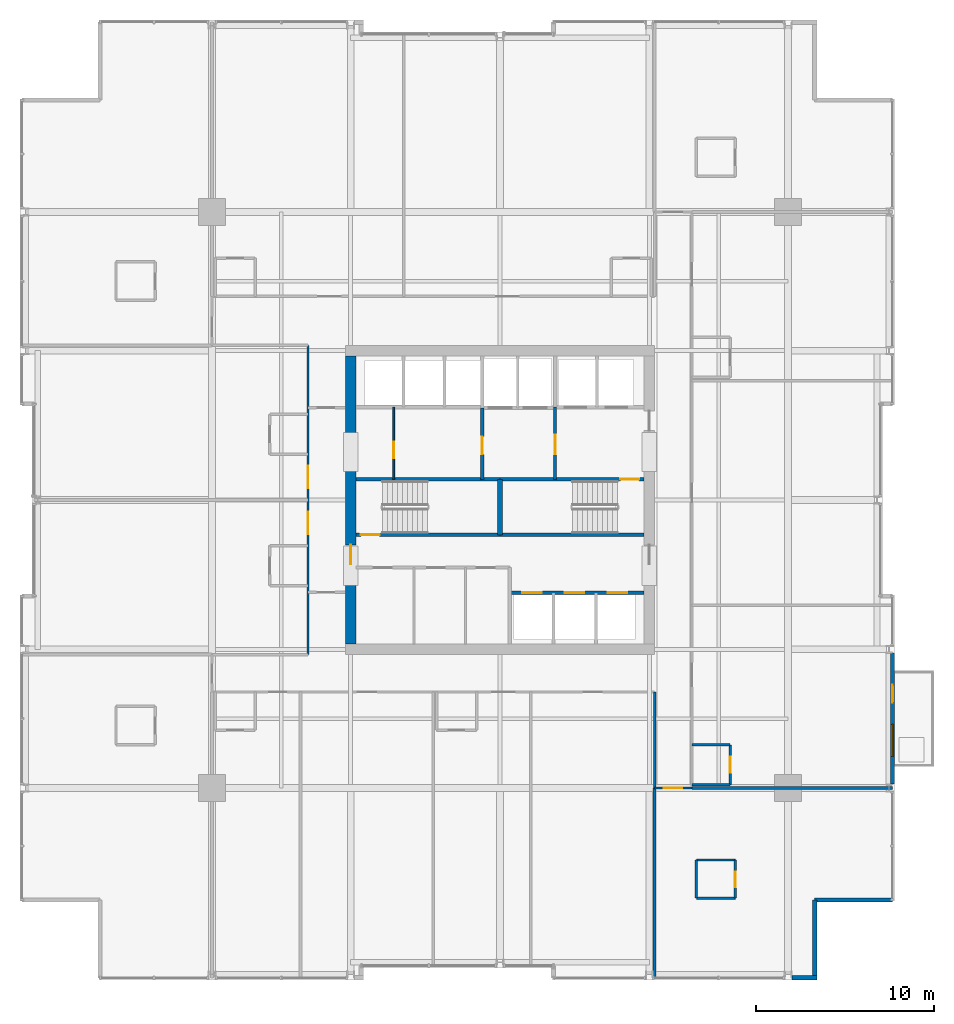
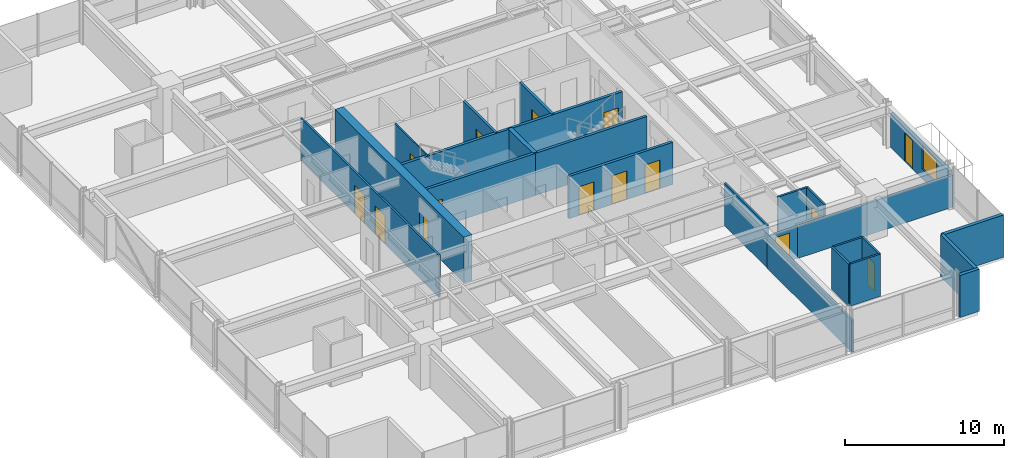
# One storey, part 29 of 34: 26 walls, 15 doors, 1 window, 16 openings.
"""IFC4 building model written with IfcOpenShell, lengths in metres."""

from ifc_helpers import new_model, si_unit, direction, frame, frame_2d, origin, place, context, subcontext, project, spatial, rectangle, extrude, material, layer, layer_set, type_object, element, fill, save


model = new_model("IFC4")

# Units and contexts
model_context = context("Model", 3, precision=1e-05, world=origin(), true_north=direction((0.0, 1.0)))
body_context = subcontext(model_context, "Body", "Model", "MODEL_VIEW")
ifc_project = project(units=[si_unit("LENGTHUNIT", "METRE"), si_unit("AREAUNIT", "SQUARE_METRE"), si_unit("VOLUMEUNIT", "CUBIC_METRE"), si_unit("PLANEANGLEUNIT", "RADIAN"), si_unit("MASSUNIT", "GRAM", prefix="KILO")], contexts=[model_context])

# Site, building, storey
site_placement = place(None, origin())
site = spatial("IfcSite", under=ifc_project, at=site_placement, CompositionType="ELEMENT")
building_placement = place(site_placement, origin())
building = spatial("IfcBuilding", under=site, at=building_placement, Name="Drelvath Grand Hotel", CompositionType="ELEMENT")
storey_placement = place(building_placement, frame((0.0, 0.0, 116.300048828125)))
storey = spatial("IfcBuildingStorey", under=building, at=storey_placement, Name="L29", CompositionType="ELEMENT", Elevation=116.300048828125)

# Wall, opening, door
ifc_material_1 = material(Name="Gypsum Partition Board")
ifc_layer_1 = layer(ifc_material_1, 0.10009765625)
ifc_layer_set_1 = layer_set([ifc_layer_1], Name="Gypsum Partition Board")
wall_type_1 = type_object("IfcWallType", Name="Core Closet Partition 100", PredefinedType="PARTITIONING", material=ifc_layer_set_1)
wall_1_placement = place(storey_placement, frame((-5.97998046875, 28.159912109375, 0.0), z_axis=(0.0, 0.0, 1.0), x_axis=(0.0, 1.0, 0.0)))
wall_1 = element("IfcWall", 1, at=wall_1_placement, inside=storey, type_object=wall_type_1, Name="L29 Core Closet Divider 2", PredefinedType="PARTITIONING", context=body_context, shape_type="SweptSolid", body=[
    extrude(rectangle(XDim=4.06005859375, YDim=0.10009765625, at=frame_2d((2.030029296875, 0.0))), origin(), (0.0, 0.0, 1.0), 3.239990234375),
])
opening_1_placement = place(wall_1_placement, frame((1.199951171875, 0.0, 0.0)))
opening_1 = element("IfcOpeningElement", 2, at=opening_1_placement, cuts=wall_1, Name="Opening D-T2G3-010", PredefinedType="OPENING", context=body_context, shape_type="SweptSolid", body=[
    extrude(rectangle(XDim=0.919921875, YDim=2.10009765625, at=frame_2d((0.4599609375, 1.050048828125))), frame((0.0, 0.06005859375, 0.0), z_axis=(0.0, -1.0, 0.0), x_axis=(1.0, 0.0, 0.0)), (0.0, 0.0, 1.0), 0.1201171875),
])
ifc_material_2 = material(Name="Painted Steel S275", Category="steel")
door_type_1 = type_object("IfcDoorType", Name="Staff Utility Door 920x2100", OperationType="NOTDEFINED", PredefinedType="DOOR", material=ifc_material_2)
door_1_placement = place(opening_1_placement, origin())
door_1 = element("IfcDoor", 3, at=door_1_placement, inside=storey, type_object=door_type_1, Name="L29 Low-Voltage Closet Door", OperationType="SINGLE_SWING_RIGHT", OverallHeight=2.10009765625, OverallWidth=0.919921875, PredefinedType="DOOR", context=body_context, shape_type="SweptSolid", body=[
    extrude(rectangle(XDim=0.919921875, YDim=2.10009765625, at=frame_2d((0.4599609375, 1.050048828125))), frame((0.0, 0.02490234375, 0.0), z_axis=(0.0, -1.0, 0.0), x_axis=(1.0, 0.0, 0.0)), (0.0, 0.0, 1.0), 0.050048828125),
])
fill(opening_1, door_1)

# Wall, openings, doors
ifc_material_3 = material(Name="Concrete C40/50", Category="concrete")
ifc_layer_2 = layer(ifc_material_3, 0.199951171875)
ifc_layer_set_2 = layer_set([ifc_layer_2], Name="Concrete C40/50")
wall_type_2 = type_object("IfcWallType", Name="Core Hoistway Fire Wall 200", PredefinedType="SOLIDWALL", material=ifc_layer_set_2)
wall_2_placement = place(storey_placement, frame((8.10009765625, 21.780029296875, 0.0), z_axis=(0.0, 0.0, 1.0), x_axis=(-1.0, 0.0, 0.0)))
wall_2 = element("IfcWall", 4, at=wall_2_placement, inside=storey, type_object=wall_type_2, Name="L29 Bank 2 Hoistway Wall", PredefinedType="SOLIDWALL", context=body_context, shape_type="SweptSolid", body=[
    extrude(rectangle(XDim=7.550048828125, YDim=0.199951171875, at=frame_2d((3.77490234375, 0.0))), origin(), (0.0, 0.0, 1.0), 3.239990234375),
])
opening_2_placement = place(wall_2_placement, frame((5.75, 0.0, 0.0)))
opening_2 = element("IfcOpeningElement", 5, at=opening_2_placement, cuts=wall_2, Name="Opening LD-PE-4", PredefinedType="OPENING", context=body_context, shape_type="SweptSolid", body=[
    extrude(rectangle(XDim=1.10009765625, YDim=2.199951171875, at=frame_2d((0.550048828125, 1.10009765625))), frame((0.0, 0.10986328125, 0.0), z_axis=(0.0, -1.0, 0.0), x_axis=(1.0, 0.0, 0.0)), (0.0, 0.0, 1.0), 0.219970703125),
])
opening_3_placement = place(wall_2_placement, frame((3.35009765625, 0.0, 0.0)))
opening_3 = element("IfcOpeningElement", 6, at=opening_3_placement, cuts=wall_2, Name="Opening LD-PE-5", PredefinedType="OPENING", context=body_context, shape_type="SweptSolid", body=[
    extrude(rectangle(XDim=1.10009765625, YDim=2.199951171875, at=frame_2d((0.550048828125, 1.10009765625))), frame((0.0, 0.10986328125, 0.0), z_axis=(0.0, -1.0, 0.0), x_axis=(1.0, 0.0, 0.0)), (0.0, 0.0, 1.0), 0.219970703125),
])
opening_4_placement = place(wall_2_placement, frame((0.949951171875, 0.0, 0.0)))
opening_4 = element("IfcOpeningElement", 7, at=opening_4_placement, cuts=wall_2, Name="Opening LD-PE-6", PredefinedType="OPENING", context=body_context, shape_type="SweptSolid", body=[
    extrude(rectangle(XDim=1.10009765625, YDim=2.199951171875, at=frame_2d((0.550048828125, 1.10009765625))), frame((0.0, 0.10986328125, 0.0), z_axis=(0.0, -1.0, 0.0), x_axis=(1.0, 0.0, 0.0)), (0.0, 0.0, 1.0), 0.219970703125),
])
ifc_material_4 = material(Name="Stainless Steel S355", Category="steel")
door_type_2 = type_object("IfcDoorType", Name="Passenger Lift Sliding Landing Door 1100x2200", OperationType="NOTDEFINED", PredefinedType="DOOR", material=ifc_material_4)
door_2_placement = place(opening_2_placement, origin())
door_2 = element("IfcDoor", 8, at=door_2_placement, inside=storey, type_object=door_type_2, Name="L29 Lift PE-4 Landing Door", OperationType="SLIDING_TO_LEFT", OverallHeight=2.199951171875, OverallWidth=1.10009765625, PredefinedType="DOOR", context=body_context, shape_type="SweptSolid", body=[
    extrude(rectangle(XDim=1.10009765625, YDim=2.199951171875, at=frame_2d((0.550048828125, 1.10009765625))), frame((0.0, 0.02490234375, 0.0), z_axis=(0.0, -1.0, 0.0), x_axis=(1.0, 0.0, 0.0)), (0.0, 0.0, 1.0), 0.050048828125),
])
fill(opening_2, door_2)
door_3_placement = place(opening_3_placement, origin())
door_3 = element("IfcDoor", 9, at=door_3_placement, inside=storey, type_object=door_type_2, Name="L29 Lift PE-5 Landing Door", OperationType="SLIDING_TO_LEFT", OverallHeight=2.199951171875, OverallWidth=1.10009765625, PredefinedType="DOOR", context=body_context, shape_type="SweptSolid", body=[
    extrude(rectangle(XDim=1.10009765625, YDim=2.199951171875, at=frame_2d((0.550048828125, 1.10009765625))), frame((0.0, 0.02490234375, 0.0), z_axis=(0.0, -1.0, 0.0), x_axis=(1.0, 0.0, 0.0)), (0.0, 0.0, 1.0), 0.050048828125),
])
fill(opening_3, door_3)
door_4_placement = place(opening_4_placement, origin())
door_4 = element("IfcDoor", 10, at=door_4_placement, inside=storey, type_object=door_type_2, Name="L29 Lift PE-6 Landing Door", OperationType="SLIDING_TO_LEFT", OverallHeight=2.199951171875, OverallWidth=1.10009765625, PredefinedType="DOOR", context=body_context, shape_type="SweptSolid", body=[
    extrude(rectangle(XDim=1.10009765625, YDim=2.199951171875, at=frame_2d((0.550048828125, 1.10009765625))), frame((0.0, 0.02490234375, 0.0), z_axis=(0.0, -1.0, 0.0), x_axis=(1.0, 0.0, 0.0)), (0.0, 0.0, 1.0), 0.050048828125),
])
fill(opening_4, door_4)

# Wall, opening, door
ifc_layer_3 = layer(ifc_material_3, 0.199951171875)
ifc_layer_set_3 = layer_set([ifc_layer_3], Name="Concrete C40/50")
wall_type_3 = type_object("IfcWallType", Name="Core Shaft Fire Wall 200", PredefinedType="SOLIDWALL", material=ifc_layer_set_3)
wall_3_placement = place(storey_placement, frame((-8.10009765625, 25.0400390625, 0.0), z_axis=(0.0, 0.0, 1.0), x_axis=(1.0, 0.0, 0.0)))
wall_3 = element("IfcWall", 11, at=wall_3_placement, inside=storey, type_object=wall_type_3, Name="L29 Stair ST-1 South Wall", PredefinedType="SOLIDWALL", context=body_context, shape_type="SweptSolid", body=[
    extrude(rectangle(XDim=8.10009765625, YDim=0.199951171875, at=frame_2d((4.050048828125, 0.0))), origin(), (0.0, 0.0, 1.0), 3.239990234375),
])
opening_5_placement = place(wall_3_placement, frame((0.280029296875, 0.0, 0.0)))
opening_5 = element("IfcOpeningElement", 12, at=opening_5_placement, cuts=wall_3, Name="Opening D-T2G3-001", PredefinedType="OPENING", context=body_context, shape_type="SweptSolid", body=[
    extrude(rectangle(XDim=1.050048828125, YDim=2.10009765625, at=frame_2d((0.52490234375, 1.050048828125))), frame((0.0, 0.10986328125, 0.0), z_axis=(0.0, -1.0, 0.0), x_axis=(1.0, 0.0, 0.0)), (0.0, 0.0, 1.0), 0.219970703125),
])
door_type_3 = type_object("IfcDoorType", Name="Tower Stairwell Fire Door 1050x2100", OperationType="NOTDEFINED", PredefinedType="DOOR", material=ifc_material_2)
door_5_placement = place(opening_5_placement, origin())
door_5 = element("IfcDoor", 13, at=door_5_placement, inside=storey, type_object=door_type_3, Name="L29 Exit Stair ST-1 Door", OperationType="SINGLE_SWING_LEFT", OverallHeight=2.10009765625, OverallWidth=1.050048828125, PredefinedType="DOOR", context=body_context, shape_type="SweptSolid", body=[
    extrude(rectangle(XDim=1.050048828125, YDim=2.10009765625, at=frame_2d((0.52490234375, 1.050048828125))), frame((0.0, 0.02490234375, 0.0), z_axis=(0.0, -1.0, 0.0), x_axis=(1.0, 0.0, 0.0)), (0.0, 0.0, 1.0), 0.050048828125),
])
fill(opening_5, door_5)

# Walls
for number, where, z_axis, x_axis, name in (
    (14, (-8.10009765625, 28.159912109375, 0.0), (0.0, 0.0, 1.0), (1.0, 0.0, 0.0), "L29 Stair ST-1 North Wall"),
    (15, (0.0, 25.0400390625, 0.0), (0.0, 0.0, 1.0), (1.0, 0.0, 0.0), "L29 Stair ST-2 South Wall"),
):
    element("IfcWall", number, at=place(storey_placement, frame(where, z_axis=z_axis, x_axis=x_axis)), inside=storey, type_object=wall_type_3, Name=name, PredefinedType="SOLIDWALL", context=body_context, shape_type="SweptSolid", body=[
        extrude(rectangle(XDim=8.10009765625, YDim=0.199951171875, at=frame_2d((4.050048828125, 0.0))), origin(), (0.0, 0.0, 1.0), 3.239990234375),
    ])

# Wall, opening, door
wall_4_placement = place(storey_placement, frame((8.10009765625, 28.159912109375, 0.0), z_axis=(0.0, 0.0, 1.0), x_axis=(-1.0, 0.0, 0.0)))
wall_4 = element("IfcWall", 16, at=wall_4_placement, inside=storey, type_object=wall_type_3, Name="L29 Stair ST-2 North Wall", PredefinedType="SOLIDWALL", context=body_context, shape_type="SweptSolid", body=[
    extrude(rectangle(XDim=8.10009765625, YDim=0.199951171875, at=frame_2d((4.050048828125, 0.0))), origin(), (0.0, 0.0, 1.0), 3.239990234375),
])
opening_6_placement = place(wall_4_placement, frame((0.280029296875, 0.0, 0.0)))
opening_6 = element("IfcOpeningElement", 17, at=opening_6_placement, cuts=wall_4, Name="Opening D-T2G3-002", PredefinedType="OPENING", context=body_context, shape_type="SweptSolid", body=[
    extrude(rectangle(XDim=1.050048828125, YDim=2.10009765625, at=frame_2d((0.52490234375, 1.050048828125))), frame((0.0, 0.10986328125, 0.0), z_axis=(0.0, -1.0, 0.0), x_axis=(1.0, 0.0, 0.0)), (0.0, 0.0, 1.0), 0.219970703125),
])
door_6_placement = place(opening_6_placement, origin())
door_6 = element("IfcDoor", 18, at=door_6_placement, inside=storey, type_object=door_type_3, Name="L29 Exit Stair ST-2 Door", OperationType="SINGLE_SWING_LEFT", OverallHeight=2.10009765625, OverallWidth=1.050048828125, PredefinedType="DOOR", context=body_context, shape_type="SweptSolid", body=[
    extrude(rectangle(XDim=1.050048828125, YDim=2.10009765625, at=frame_2d((0.52490234375, 1.050048828125))), frame((0.0, 0.02490234375, 0.0), z_axis=(0.0, -1.0, 0.0), x_axis=(1.0, 0.0, 0.0)), (0.0, 0.0, 1.0), 0.050048828125),
])
fill(opening_6, door_6)

# Walls
ifc_layer_4 = layer(ifc_material_3, 0.300048828125)
ifc_layer_set_4 = layer_set([ifc_layer_4], Name="Concrete C40/50")
wall_type_4 = type_object("IfcWallType", Name="Core Shaft Fire Wall 300", PredefinedType="SOLIDWALL", material=ifc_layer_set_4)
wall_5_placement = place(storey_placement, frame((0.0, 25.0400390625, 0.0), z_axis=(0.0, 0.0, 1.0), x_axis=(0.0, 1.0, 0.0)))
element("IfcWall", 19, at=wall_5_placement, inside=storey, type_object=wall_type_4, Name="L29 Core Stair Divider Wall", PredefinedType="SOLIDWALL", context=body_context, shape_type="SweptSolid", body=[
    extrude(rectangle(XDim=3.119873046875, YDim=0.300048828125, at=frame_2d((1.56005859375, 0.0))), origin(), (0.0, 0.0, 1.0), 3.239990234375),
])
ifc_material_5 = material(Name="Gypsum Fireboard Partition")
ifc_layer_5 = layer(ifc_material_5, 0.135009765625)
ifc_layer_set_5 = layer_set([ifc_layer_5], Name="Gypsum Fireboard Partition")
wall_type_5 = type_object("IfcWallType", Name="Corridor Fire Barrier Wall 135", PredefinedType="PARTITIONING", material=ifc_layer_set_5)
wall_6_placement = place(storey_placement, frame((8.699951171875, 10.800048828125, 0.0), z_axis=(0.0, 0.0, 1.0), x_axis=(0.0, 1.0, 0.0)))
element("IfcWall", 20, at=wall_6_placement, inside=storey, type_object=wall_type_5, Name="L29 East Spine South Inner Wall", PredefinedType="PARTITIONING", context=body_context, shape_type="SweptSolid", body=[
    extrude(rectangle(XDim=5.39990234375, YDim=0.135009765625, at=frame_2d((2.699951171875, 0.0))), origin(), (0.0, 0.0, 1.0), 3.239990234375),
])

# Wall, openings, doors
wall_7_placement = place(storey_placement, frame((-10.800048828125, 18.300048828125, 0.0), z_axis=(0.0, 0.0, 1.0), x_axis=(0.0, 1.0, 0.0)))
wall_7 = element("IfcWall", 21, at=wall_7_placement, inside=storey, type_object=wall_type_5, Name="L29 West Spine Wall", PredefinedType="PARTITIONING", context=body_context, shape_type="SweptSolid", body=[
    extrude(rectangle(XDim=17.39990234375, YDim=0.135009765625, at=frame_2d((8.699951171875, 0.0))), origin(), (0.0, 0.0, 1.0), 3.239990234375),
])
opening_7_placement = place(wall_7_placement, frame((6.784912109375, 0.0, 0.0)))
opening_7 = element("IfcOpeningElement", 22, at=opening_7_placement, cuts=wall_7, Name="Opening D-T2G3-045", PredefinedType="OPENING", context=body_context, shape_type="SweptSolid", body=[
    extrude(rectangle(XDim=1.260009765625, YDim=2.199951171875, at=frame_2d((0.6298828125, 1.10009765625))), frame((0.0, 0.077392578125, 0.0), z_axis=(0.0, -1.0, 0.0), x_axis=(1.0, 0.0, 0.0)), (0.0, 0.0, 1.0), 0.155029296875),
])
opening_8_placement = place(wall_7_placement, frame((9.35498046875, 0.0, 0.0)))
opening_8 = element("IfcOpeningElement", 23, at=opening_8_placement, cuts=wall_7, Name="Opening D-T2G3-047", PredefinedType="OPENING", context=body_context, shape_type="SweptSolid", body=[
    extrude(rectangle(XDim=1.260009765625, YDim=2.199951171875, at=frame_2d((0.6298828125, 1.10009765625))), frame((0.0, 0.077392578125, 0.0), z_axis=(0.0, -1.0, 0.0), x_axis=(1.0, 0.0, 0.0)), (0.0, 0.0, 1.0), 0.155029296875),
])
ifc_material_6 = material(Name="Hardwood Walnut Timber", Category="wood")
door_type_4 = type_object("IfcDoorType", Name="Suite Entrance Fire Door 1260x2200", OperationType="NOTDEFINED", PredefinedType="DOOR", material=ifc_material_6)
door_7_placement = place(opening_7_placement, origin())
door_7 = element("IfcDoor", 24, at=door_7_placement, inside=storey, type_object=door_type_4, Name="L29 Corner Suite Entry Door", OperationType="SINGLE_SWING_RIGHT", OverallHeight=2.199951171875, OverallWidth=1.260009765625, PredefinedType="DOOR", context=body_context, shape_type="SweptSolid", body=[
    extrude(rectangle(XDim=1.260009765625, YDim=2.199951171875, at=frame_2d((0.6298828125, 1.10009765625))), frame((0.0, 0.02490234375, 0.0), z_axis=(0.0, -1.0, 0.0), x_axis=(1.0, 0.0, 0.0)), (0.0, 0.0, 1.0), 0.050048828125),
])
fill(opening_7, door_7)
door_8_placement = place(opening_8_placement, origin())
door_8 = element("IfcDoor", 25, at=door_8_placement, inside=storey, type_object=door_type_4, Name="L29 Corner Suite Entry Door", OperationType="SINGLE_SWING_RIGHT", OverallHeight=2.199951171875, OverallWidth=1.260009765625, PredefinedType="DOOR", context=body_context, shape_type="SweptSolid", body=[
    extrude(rectangle(XDim=1.260009765625, YDim=2.199951171875, at=frame_2d((0.6298828125, 1.10009765625))), frame((0.0, 0.02490234375, 0.0), z_axis=(0.0, -1.0, 0.0), x_axis=(1.0, 0.0, 0.0)), (0.0, 0.0, 1.0), 0.050048828125),
])
fill(opening_8, door_8)

# Wall, opening, door
wall_8_placement = place(storey_placement, frame((8.699951171875, 10.800048828125, 0.0), z_axis=(0.0, 0.0, 1.0), x_axis=(1.0, 0.0, 0.0)))
wall_8 = element("IfcWall", 26, at=wall_8_placement, inside=storey, type_object=wall_type_5, Name="L29 East Spine South End", PredefinedType="PARTITIONING", context=body_context, shape_type="SweptSolid", body=[
    extrude(rectangle(XDim=2.10009765625, YDim=0.135009765625, at=frame_2d((1.050048828125, 0.0))), origin(), (0.0, 0.0, 1.0), 2.45166015625),
])
opening_9_placement = place(wall_8_placement, frame((0.52001953125, 0.0, 0.0)))
opening_9 = element("IfcOpeningElement", 27, at=opening_9_placement, cuts=wall_8, Name="Opening D-T2G3-026", PredefinedType="OPENING", context=body_context, shape_type="SweptSolid", body=[
    extrude(rectangle(XDim=1.02001953125, YDim=2.14990234375, at=frame_2d((0.510009765625, 1.074951171875))), frame((0.0, 0.077392578125, 0.0), z_axis=(0.0, -1.0, 0.0), x_axis=(1.0, 0.0, 0.0)), (0.0, 0.0, 1.0), 0.155029296875),
])
door_type_5 = type_object("IfcDoorType", Name="Amenity Meeting Fire Door 1020x2150", OperationType="NOTDEFINED", PredefinedType="DOOR", material=ifc_material_6)
door_9_placement = place(opening_9_placement, origin())
door_9 = element("IfcDoor", 28, at=door_9_placement, inside=storey, type_object=door_type_5, Name="L29 Corner Suite Entry Door", OperationType="SINGLE_SWING_LEFT", OverallHeight=2.14990234375, OverallWidth=1.02001953125, PredefinedType="DOOR", context=body_context, shape_type="SweptSolid", body=[
    extrude(rectangle(XDim=1.02001953125, YDim=2.14990234375, at=frame_2d((0.510009765625, 1.074951171875))), frame((0.0, 0.02490234375, 0.0), z_axis=(0.0, -1.0, 0.0), x_axis=(1.0, 0.0, 0.0)), (0.0, 0.0, 1.0), 0.050048828125),
])
fill(opening_9, door_9)

# Walls
ifc_material_7 = material(Name="Moisture-Resistant Gypsum Board")
ifc_layer_6 = layer(ifc_material_7, 0.139892578125)
ifc_layer_set_6 = layer_set([ifc_layer_6], Name="Moisture-Resistant Gypsum Board")
wall_type_6 = type_object("IfcWallType", Name="En-Suite Plumbing Wall 140", PredefinedType="PLUMBINGWALL", material=ifc_layer_set_6)
for number, where, z_axis, x_axis, name in (
    (29, (11.0400390625, 4.60009765625, 0.0), (0.0, 0.0, 1.0), (1.0, 0.0, 0.0), "L29 Corner En-Suite South"),
    (30, (11.0400390625, 6.75, 0.0), (0.0, 0.0, 1.0), (1.0, 0.0, 0.0), "L29 Corner En-Suite North"),
):
    element("IfcWall", number, at=place(storey_placement, frame(where, z_axis=z_axis, x_axis=x_axis)), inside=storey, type_object=wall_type_6, Name=name, PredefinedType="PLUMBINGWALL", context=body_context, shape_type="SweptSolid", body=[
        extrude(rectangle(XDim=2.199951171875, YDim=0.139892578125, at=frame_2d((1.10009765625, 0.0))), origin(), (0.0, 0.0, 1.0), 3.239990234375),
    ])
wall_9_placement = place(storey_placement, frame((11.0400390625, 4.60009765625, 0.0), z_axis=(0.0, 0.0, 1.0), x_axis=(0.0, 1.0, 0.0)))
element("IfcWall", 31, at=wall_9_placement, inside=storey, type_object=wall_type_6, Name="L29 Corner En-Suite West", PredefinedType="PLUMBINGWALL", context=body_context, shape_type="SweptSolid", body=[
    extrude(rectangle(XDim=2.14990234375, YDim=0.139892578125, at=frame_2d((1.074951171875, 0.0))), origin(), (0.0, 0.0, 1.0), 3.239990234375),
])

# Wall, opening, door
wall_10_placement = place(storey_placement, frame((13.239990234375, 4.60009765625, 0.0), z_axis=(0.0, 0.0, 1.0), x_axis=(0.0, 1.0, 0.0)))
wall_10 = element("IfcWall", 32, at=wall_10_placement, inside=storey, type_object=wall_type_6, Name="L29 Corner En-Suite East", PredefinedType="PLUMBINGWALL", context=body_context, shape_type="SweptSolid", body=[
    extrude(rectangle(XDim=2.14990234375, YDim=0.139892578125, at=frame_2d((1.074951171875, 0.0))), origin(), (0.0, 0.0, 1.0), 3.239990234375),
])
opening_10_placement = place(wall_10_placement, frame((0.6201171875, 0.0, 0.0)))
opening_10 = element("IfcOpeningElement", 33, at=opening_10_placement, cuts=wall_10, Name="Opening D-T2G3-025", PredefinedType="OPENING", context=body_context, shape_type="SweptSolid", body=[
    extrude(rectangle(XDim=0.8798828125, YDim=2.10009765625, at=frame_2d((0.43994140625, 1.050048828125))), frame((0.0, 0.079833984375, 0.0), z_axis=(0.0, -1.0, 0.0), x_axis=(1.0, 0.0, 0.0)), (0.0, 0.0, 1.0), 0.159912109375),
])
door_type_6 = type_object("IfcDoorType", Name="En-Suite Bathroom Door 880x2100", OperationType="NOTDEFINED", PredefinedType="DOOR", material=ifc_material_6)
door_10_placement = place(opening_10_placement, origin())
door_10 = element("IfcDoor", 34, at=door_10_placement, inside=storey, type_object=door_type_6, Name="L29 Corner En-Suite Door", OperationType="SINGLE_SWING_RIGHT", OverallHeight=2.10009765625, OverallWidth=0.8798828125, PredefinedType="DOOR", context=body_context, shape_type="SweptSolid", body=[
    extrude(rectangle(XDim=0.8798828125, YDim=2.10009765625, at=frame_2d((0.43994140625, 1.050048828125))), frame((0.0, 0.02490234375, 0.0), z_axis=(0.0, -1.0, 0.0), x_axis=(1.0, 0.0, 0.0)), (0.0, 0.0, 1.0), 0.050048828125),
])
fill(opening_10, door_10)

# Walls
wall_11_placement = place(storey_placement, frame((10.800048828125, 10.97998046875, 0.0), z_axis=(0.0, 0.0, 1.0), x_axis=(1.0, 0.0, 0.0)))
element("IfcWall", 35, at=wall_11_placement, inside=storey, type_object=wall_type_6, Name="L29 En-Suite Left Wall", PredefinedType="PLUMBINGWALL", context=body_context, shape_type="SweptSolid", body=[
    extrude(rectangle(XDim=2.14990234375, YDim=0.139892578125, at=frame_2d((1.074951171875, 0.0))), origin(), (0.0, 0.0, 1.0), 2.45166015625),
])
wall_12_placement = place(storey_placement, frame((10.800048828125, 13.22998046875, 0.0), z_axis=(0.0, 0.0, 1.0), x_axis=(1.0, 0.0, 0.0)))
element("IfcWall", 36, at=wall_12_placement, inside=storey, type_object=wall_type_6, Name="L29 En-Suite Right Wall", PredefinedType="PLUMBINGWALL", context=body_context, shape_type="SweptSolid", body=[
    extrude(rectangle(XDim=2.14990234375, YDim=0.139892578125, at=frame_2d((1.074951171875, 0.0))), origin(), (0.0, 0.0, 1.0), 3.239990234375),
])

# Wall, opening, door
wall_13_placement = place(storey_placement, frame((12.949951171875, 10.97998046875, 0.0), z_axis=(0.0, 0.0, 1.0), x_axis=(0.0, 1.0, 0.0)))
wall_13 = element("IfcWall", 37, at=wall_13_placement, inside=storey, type_object=wall_type_6, Name="L29 En-Suite Front Wall", PredefinedType="PLUMBINGWALL", context=body_context, shape_type="SweptSolid", body=[
    extrude(rectangle(XDim=2.25, YDim=0.139892578125, at=frame_2d((1.125, 0.0))), origin(), (0.0, 0.0, 1.0), 3.239990234375),
])
opening_11_placement = place(wall_13_placement, frame((0.68505859375, 0.0, 0.0)))
opening_11 = element("IfcOpeningElement", 38, at=opening_11_placement, cuts=wall_13, Name="Opening D-T2G3-039", PredefinedType="OPENING", context=body_context, shape_type="SweptSolid", body=[
    extrude(rectangle(XDim=0.8798828125, YDim=2.10009765625, at=frame_2d((0.43994140625, 1.050048828125))), frame((0.0, 0.079833984375, 0.0), z_axis=(0.0, -1.0, 0.0), x_axis=(1.0, 0.0, 0.0)), (0.0, 0.0, 1.0), 0.159912109375),
])
door_11_placement = place(opening_11_placement, origin())
door_11 = element("IfcDoor", 39, at=door_11_placement, inside=storey, type_object=door_type_6, Name="L29 En-Suite Bathroom Door", OperationType="SINGLE_SWING_RIGHT", OverallHeight=2.10009765625, OverallWidth=0.8798828125, PredefinedType="DOOR", context=body_context, shape_type="SweptSolid", body=[
    extrude(rectangle(XDim=0.8798828125, YDim=2.10009765625, at=frame_2d((0.43994140625, 1.050048828125))), frame((0.0, 0.02490234375, 0.0), z_axis=(0.0, -1.0, 0.0), x_axis=(1.0, 0.0, 0.0)), (0.0, 0.0, 1.0), 0.050048828125),
])
fill(opening_11, door_11)

ifc_layer_7 = layer(ifc_material_5, 0.179931640625)
ifc_layer_set_7 = layer_set([ifc_layer_7], Name="Gypsum Fireboard Partition")
wall_type_7 = type_object("IfcWallType", Name="FSAE Smoke Lobby Fire Wall 180", PredefinedType="SOLIDWALL", material=ifc_layer_set_7)
wall_14_placement = place(storey_placement, frame((3.10009765625, 28.159912109375, 0.0), z_axis=(0.0, 0.0, 1.0), x_axis=(0.0, 1.0, 0.0)))
wall_14 = element("IfcWall", 40, at=wall_14_placement, inside=storey, type_object=wall_type_7, Name="L29 FSAE Smoke Lobby West Wall", PredefinedType="SOLIDWALL", context=body_context, shape_type="SweptSolid", body=[
    extrude(rectangle(XDim=4.06005859375, YDim=0.179931640625, at=frame_2d((2.030029296875, 0.0))), origin(), (0.0, 0.0, 1.0), 3.239990234375),
])
opening_12_placement = place(wall_14_placement, frame((1.39990234375, 0.0, 0.0)))
opening_12 = element("IfcOpeningElement", 41, at=opening_12_placement, cuts=wall_14, Name="Opening D-T2G3-005", PredefinedType="OPENING", context=body_context, shape_type="SweptSolid", body=[
    extrude(rectangle(XDim=1.1201171875, YDim=2.10009765625, at=frame_2d((0.56005859375, 1.050048828125))), frame((0.0, 0.099853515625, 0.0), z_axis=(0.0, -1.0, 0.0), x_axis=(1.0, 0.0, 0.0)), (0.0, 0.0, 1.0), 0.199951171875),
])
door_type_7 = type_object("IfcDoorType", Name="FSAE Smoke Lobby Fire Door 1120x2100", OperationType="NOTDEFINED", PredefinedType="DOOR", material=ifc_material_2)
door_12_placement = place(opening_12_placement, origin())
door_12 = element("IfcDoor", 42, at=door_12_placement, inside=storey, type_object=door_type_7, Name="L29 FSAE Lobby Service Vestibule Door", OperationType="SINGLE_SWING_RIGHT", OverallHeight=2.10009765625, OverallWidth=1.1201171875, PredefinedType="DOOR", context=body_context, shape_type="SweptSolid", body=[
    extrude(rectangle(XDim=1.1201171875, YDim=2.10009765625, at=frame_2d((0.56005859375, 1.050048828125))), frame((0.0, 0.02490234375, 0.0), z_axis=(0.0, -1.0, 0.0), x_axis=(1.0, 0.0, 0.0)), (0.0, 0.0, 1.0), 0.050048828125),
])
fill(opening_12, door_12)

wall_15_placement = place(storey_placement, frame((-1.0, 28.159912109375, 0.0), z_axis=(0.0, 0.0, 1.0), x_axis=(0.0, 1.0, 0.0)))
wall_15 = element("IfcWall", 43, at=wall_15_placement, inside=storey, type_object=wall_type_7, Name="L29 Service Vestibule West Wall", PredefinedType="SOLIDWALL", context=body_context, shape_type="SweptSolid", body=[
    extrude(rectangle(XDim=4.02001953125, YDim=0.179931640625, at=frame_2d((2.010009765625, 0.0))), origin(), (0.0, 0.0, 1.0), 3.239990234375),
])
opening_13_placement = place(wall_15_placement, frame((1.39990234375, 0.0, 0.0)))
opening_13 = element("IfcOpeningElement", 44, at=opening_13_placement, cuts=wall_15, Name="Opening D-T2G3-009", PredefinedType="OPENING", context=body_context, shape_type="SweptSolid", body=[
    extrude(rectangle(XDim=1.0, YDim=2.10009765625, at=frame_2d((0.5, 1.050048828125))), frame((0.0, 0.099853515625, 0.0), z_axis=(0.0, -1.0, 0.0), x_axis=(1.0, 0.0, 0.0)), (0.0, 0.0, 1.0), 0.199951171875),
])
door_type_8 = type_object("IfcDoorType", Name="Core Service Fire Door 1000x2100", OperationType="NOTDEFINED", PredefinedType="DOOR", material=ifc_material_2)
door_13_placement = place(opening_13_placement, origin())
door_13 = element("IfcDoor", 45, at=door_13_placement, inside=storey, type_object=door_type_8, Name="L29 Service Vestibule West Door", OperationType="SINGLE_SWING_LEFT", OverallHeight=2.10009765625, OverallWidth=1.0, PredefinedType="DOOR", context=body_context, shape_type="SweptSolid", body=[
    extrude(rectangle(XDim=1.0, YDim=2.10009765625, at=frame_2d((0.5, 1.050048828125))), frame((0.0, 0.02490234375, 0.0), z_axis=(0.0, -1.0, 0.0), x_axis=(1.0, 0.0, 0.0)), (0.0, 0.0, 1.0), 0.050048828125),
])
fill(opening_13, door_13)

ifc_material_8 = material(Name="Concrete f'c 70 MPa", Category="concrete")
ifc_layer_8 = layer(ifc_material_8, 0.60009765625)
ifc_layer_set_8 = layer_set([ifc_layer_8], Name="Concrete f'c 70 MPa")
wall_type_8 = type_object("IfcWallType", Name="Lower Core RC Shear Wall 600", PredefinedType="SHEAR", material=ifc_layer_set_8)
wall_16_placement = place(storey_placement, frame((-8.39990234375, 18.89990234375, 0.0), z_axis=(0.0, 0.0, 1.0), x_axis=(0.0, 1.0, 0.0)))
wall_16 = element("IfcWall", 46, at=wall_16_placement, inside=storey, type_object=wall_type_8, Name="L29 Central Core Shear Wall W", PredefinedType="SHEAR", context=body_context, shape_type="SweptSolid", body=[
    extrude(rectangle(XDim=16.2001953125, YDim=0.60009765625, at=frame_2d((8.10009765625, 0.0))), origin(), (0.0, 0.0, 1.0), 3.5),
])
opening_14_placement = place(wall_16_placement, frame((4.5, 0.0, 0.0)))
opening_14 = element("IfcOpeningElement", 47, at=opening_14_placement, cuts=wall_16, Name="Opening D-T2G3-014", PredefinedType="OPENING", context=body_context, shape_type="SweptSolid", body=[
    extrude(rectangle(XDim=1.080078125, YDim=2.0400390625, at=frame_2d((0.5400390625, 1.02001953125))), frame((0.0, 0.31005859375, 0.0), z_axis=(0.0, -1.0, 0.0), x_axis=(1.0, 0.0, 0.0)), (0.0, 0.0, 1.0), 0.6201171875),
])
door_type_9 = type_object("IfcDoorType", Name="Core Corridor Fire Door 1080x2100", OperationType="NOTDEFINED", PredefinedType="DOOR", material=ifc_material_2)
door_14_placement = place(opening_14_placement, origin())
door_14 = element("IfcDoor", 48, at=door_14_placement, inside=storey, type_object=door_type_9, Name="L29 Mid-Rise Lobby West Door", OperationType="SINGLE_SWING_LEFT", OverallHeight=2.0400390625, OverallWidth=1.080078125, PredefinedType="DOOR", context=body_context, shape_type="SweptSolid", body=[
    extrude(rectangle(XDim=1.080078125, YDim=2.0400390625, at=frame_2d((0.5400390625, 1.02001953125))), frame((0.0, 0.02490234375, 0.0), z_axis=(0.0, -1.0, 0.0), x_axis=(1.0, 0.0, 0.0)), (0.0, 0.0, 1.0), 0.050048828125),
])
fill(opening_14, door_14)

# Walls
ifc_material_9 = material(Name="Gypsum Acoustic Partition")
ifc_layer_9 = layer(ifc_material_9, 0.1650390625)
ifc_layer_set_9 = layer_set([ifc_layer_9], Name="Gypsum Acoustic Partition")
wall_type_9 = type_object("IfcWallType", Name="Suite Demising Wall 165", PredefinedType="PARTITIONING", material=ifc_layer_set_9)
wall_17_placement = place(storey_placement, frame((8.699951171875, 0.1201171875, 0.0), z_axis=(0.0, 0.0, 1.0), x_axis=(0.0, 1.0, 0.0)))
element("IfcWall", 49, at=wall_17_placement, inside=storey, type_object=wall_type_9, Name="L29 SE Suite West Wall", PredefinedType="PARTITIONING", context=body_context, shape_type="SweptSolid", body=[
    extrude(rectangle(XDim=10.679931640625, YDim=0.1650390625, at=frame_2d((5.33984375, 0.0))), origin(), (0.0, 0.0, 1.0), 2.45166015625),
])
wall_18_placement = place(storey_placement, frame((10.800048828125, 10.800048828125, 0.0), z_axis=(0.0, 0.0, 1.0), x_axis=(1.0, 0.0, 0.0)))
element("IfcWall", 50, at=wall_18_placement, inside=storey, type_object=wall_type_9, Name="L29 SE Suite North Wall", PredefinedType="PARTITIONING", context=body_context, shape_type="SweptSolid", body=[
    extrude(rectangle(XDim=11.280029296875, YDim=0.1650390625, at=frame_2d((5.64013671875, 0.0))), origin(), (0.0, 0.0, 1.0), 2.45166015625),
])

# Wall, openings, window, door
ifc_material_10 = material(Name="Pale-Metal Insulated Aluminium Spandrel Assembly", Category="aluminium")
ifc_layer_10 = layer(ifc_material_10, 0.239990234375)
ifc_layer_set_10 = layer_set([ifc_layer_10], Name="Pale-Metal Insulated Aluminium Spandrel Assembly")
wall_type_10 = type_object("IfcWallType", Name="Tower Insulated Metal Spandrel Closure Wall 240", PredefinedType="STANDARD", material=ifc_layer_set_10)
wall_19_placement = place(storey_placement, frame((22.080078125, 18.38037109375, 0.0), z_axis=(0.0, 0.0, 1.0), x_axis=(0.0, -1.0, 0.0)))
wall_19 = element("IfcWall", 51, at=wall_19_placement, inside=storey, type_object=wall_type_10, Name="L29 Exterior Terrace Door Bay Wall ES2", PredefinedType="STANDARD", context=body_context, shape_type="SweptSolid", body=[
    extrude(rectangle(XDim=7.36083984375, YDim=0.239990234375, at=frame_2d((3.680419921875, 0.0))), origin(), (0.0, 0.0, 1.0), 2.62890625),
])
opening_15_placement = place(wall_19_placement, frame((1.780517578125, 0.0, 0.0)))
opening_15 = element("IfcOpeningElement", 52, at=opening_15_placement, cuts=wall_19, Name="Opening TD-1000", PredefinedType="OPENING", context=body_context, shape_type="SweptSolid", body=[
    extrude(rectangle(XDim=1.0, YDim=2.199951171875, at=frame_2d((0.5, 1.10009765625))), frame((0.0, 0.1298828125, 0.0), z_axis=(0.0, -1.0, 0.0), x_axis=(1.0, 0.0, 0.0)), (0.0, 0.0, 1.0), 0.260009765625),
])
opening_16_placement = place(wall_19_placement, frame((3.99658203125, 0.0, 0.75)))
opening_16 = element("IfcOpeningElement", 53, at=opening_16_placement, cuts=wall_19, Name="Opening W-02", PredefinedType="OPENING", context=body_context, shape_type="SweptSolid", body=[
    extrude(rectangle(XDim=1.800048828125, YDim=1.779052734375, at=frame_2d((0.89990234375, 0.8896484375))), frame((0.0, 0.1298828125, 0.0), z_axis=(0.0, -1.0, 0.0), x_axis=(1.0, 0.0, 0.0)), (0.0, 0.0, 1.0), 0.260009765625),
])
ifc_material_11 = material(Name="Bronze Anodised Low-E Triple Glazing", Category="glass")
window_type = type_object("IfcWindowType", Name="Chicago Double-Pane Podium Window 1800x2400", PartitioningType="DOUBLE_PANEL_VERTICAL", PredefinedType="WINDOW", material=ifc_material_11)
window_placement = place(opening_16_placement, origin())
window = element("IfcWindow", 54, at=window_placement, inside=storey, type_object=window_type, Name="L29 Terrace Bay Companion Window ES2", OverallHeight=1.779052734375, OverallWidth=1.800048828125, PartitioningType="SINGLE_PANEL", PredefinedType="WINDOW", context=body_context, shape_type="SweptSolid", body=[
    extrude(rectangle(XDim=1.800048828125, YDim=1.779052734375, at=frame_2d((0.89990234375, 0.8896484375))), frame((0.0, 0.030029296875, 0.0), z_axis=(0.0, -1.0, 0.0), x_axis=(1.0, 0.0, 0.0)), (0.0, 0.0, 1.0), 0.06005859375),
])
fill(opening_16, window)
ifc_material_12 = material(Name="Anodised Aluminium Thermally Broken Glazed Door", Category="aluminium")
door_type_10 = type_object("IfcDoorType", Name="Terrace and Tree Balcony Glazed Door 1000x2200", OperationType="NOTDEFINED", PredefinedType="DOOR", material=ifc_material_12)
door_15_placement = place(opening_15_placement, origin())
door_15 = element("IfcDoor", 55, at=door_15_placement, inside=storey, type_object=door_type_10, Name="L29 Tree Balcony Door DOOR-L29-TBAL-1", OperationType="SINGLE_SWING_LEFT", OverallHeight=2.199951171875, OverallWidth=1.0, PredefinedType="DOOR", context=body_context, shape_type="SweptSolid", body=[
    extrude(rectangle(XDim=1.0, YDim=2.199951171875, at=frame_2d((0.5, 1.10009765625))), frame((0.0, 0.02490234375, 0.0), z_axis=(0.0, -1.0, 0.0), x_axis=(1.0, 0.0, 0.0)), (0.0, 0.0, 1.0), 0.050048828125),
])
fill(opening_15, door_15)

# Walls
wall_20_placement = place(storey_placement, frame((17.820068359375, 0.1201171875, 0.0), z_axis=(0.0, 0.0, 1.0), x_axis=(-1.0, 0.0, 0.0)))
element("IfcWall", 56, at=wall_20_placement, inside=storey, type_object=wall_type_10, Name="L29 Corner Pier Spandrel Wall SE3", PredefinedType="STANDARD", context=body_context, shape_type="SweptSolid", body=[
    extrude(rectangle(XDim=1.400390625, YDim=0.239990234375, at=frame_2d((0.7001953125, 0.0))), origin(), (0.0, 0.0, 1.0), 3.239990234375),
])
wall_21_placement = place(storey_placement, frame((22.080078125, 4.5, 0.0), z_axis=(0.0, 0.0, 1.0), x_axis=(-1.0, 0.0, 0.0)))
element("IfcWall", 57, at=wall_21_placement, inside=storey, type_object=wall_type_10, Name="L29 Notched Corner Return Spandrel Wall CSE1", PredefinedType="STANDARD", context=body_context, shape_type="SweptSolid", body=[
    extrude(rectangle(XDim=4.380126953125, YDim=0.239990234375, at=frame_2d((2.18994140625, 0.0))), origin(), (0.0, 0.0, 1.0), 3.239990234375),
])
wall_22_placement = place(storey_placement, frame((17.699951171875, 4.5, 0.0), z_axis=(0.0, 0.0, 1.0), x_axis=(0.0, -1.0, 0.0)))
element("IfcWall", 58, at=wall_22_placement, inside=storey, type_object=wall_type_10, Name="L29 Notched Corner Return Spandrel Wall CSE2", PredefinedType="STANDARD", context=body_context, shape_type="SweptSolid", body=[
    extrude(rectangle(XDim=4.260009765625, YDim=0.239990234375, at=frame_2d((2.1298828125, 0.0))), origin(), (0.0, 0.0, 1.0), 3.239990234375),
])

save(model, "model.ifc")
